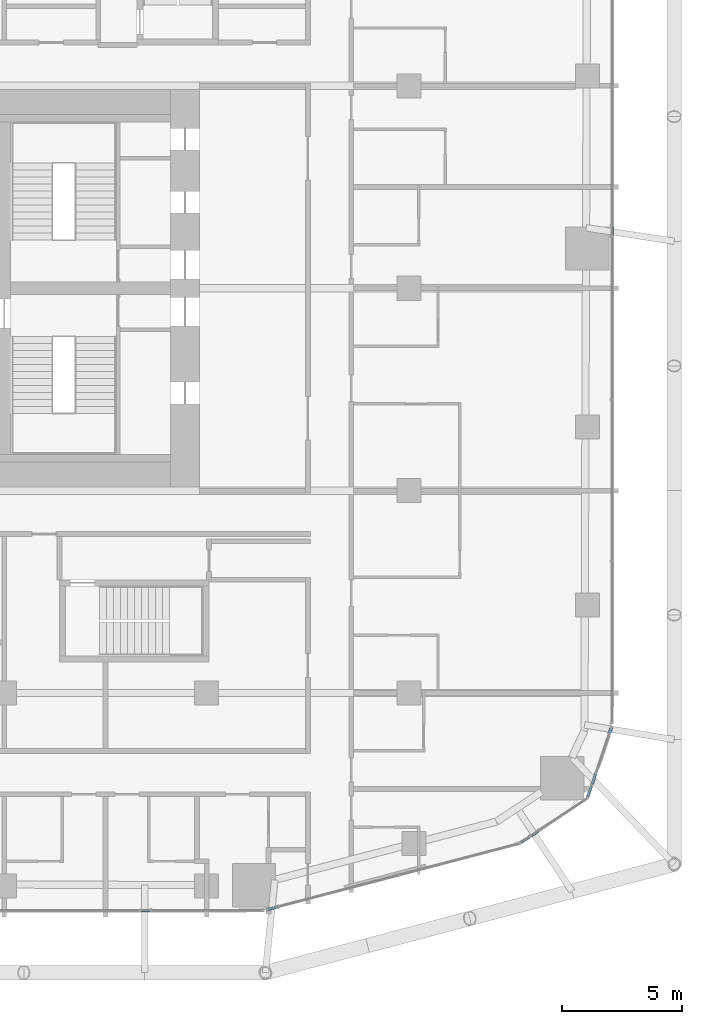
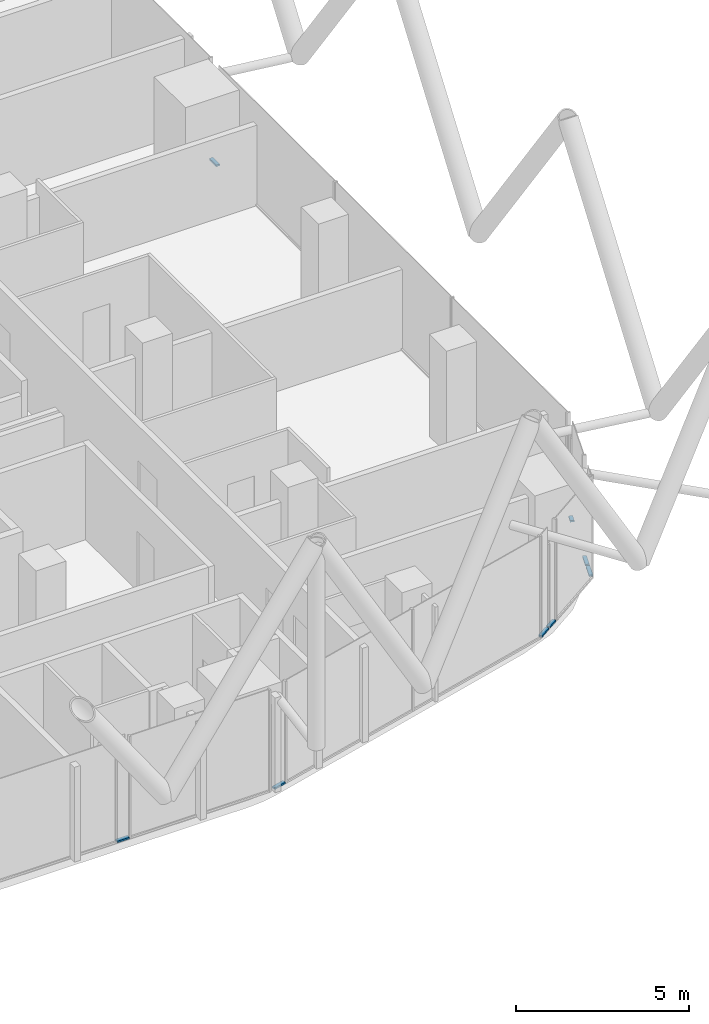
# One storey, part 17 of 38: 8 members, 8 elements without a shape of their own.
"""IFC4 building model written with IfcOpenShell, lengths in metres."""

from ifc_helpers import new_model, si_unit, direction, frame, origin, origin_2d, place, context, subcontext, project, spatial, rectangle, extrude, material, layer, layer_set, material_profile, profile_set, type_object, element, aggregate, save


model = new_model("IFC4")

# Units and contexts
model_context = context("Model", 3, precision=1e-05, world=origin(), true_north=direction((0.0, 1.0)))
body_context = subcontext(model_context, "Body", "Model", "MODEL_VIEW")
ifc_project = project(units=[si_unit("LENGTHUNIT", "METRE"), si_unit("AREAUNIT", "SQUARE_METRE"), si_unit("VOLUMEUNIT", "CUBIC_METRE"), si_unit("PLANEANGLEUNIT", "RADIAN"), si_unit("MASSUNIT", "GRAM", prefix="KILO")], contexts=[model_context])

# Site, building, storey
site_placement = place(None, origin())
site = spatial("IfcSite", under=ifc_project, at=site_placement, CompositionType="ELEMENT")
building_placement = place(site_placement, origin())
building = spatial("IfcBuilding", under=site, at=building_placement, Name="Marenta Gate Hotel Tower", CompositionType="ELEMENT")
storey_placement = place(building_placement, frame((0.0, 0.0, 68.89990234375)))
storey = spatial("IfcBuildingStorey", under=building, at=storey_placement, Name="L15", CompositionType="ELEMENT", Elevation=68.89990234375)

# Curtain wall, member
ifc_material_1 = material(Name="Tinted insulated glass in bronze anodised frame", Category="glass")
ifc_layer = layer(ifc_material_1, 0.1201171875)
ifc_layer_set = layer_set([ifc_layer], Name="Tinted insulated glass in bronze anodised frame")
curtain_wall_type = type_object("IfcCurtainWallType", Name="Tower unitised curtain wall CW1", PredefinedType="NOTDEFINED", material=ifc_layer_set)
curtain_wall_1_placement = place(storey_placement, origin())
curtain_wall_1 = element("IfcCurtainWall", 1, at=curtain_wall_1_placement, inside=storey, type_object=curtain_wall_type, Name="CW1 run G21", PredefinedType="NOTDEFINED")
ifc_material_2 = material(Name="Bronze anodised aluminium", Category="aluminium")
ifc_material_profile = material_profile(ifc_material_2, rectangle(XDim=0.1201171875, YDim=0.06005859375, at=origin_2d()), Name="Transom CW1 60x120 bronze anodised aluminium")
ifc_profile_set = profile_set([ifc_material_profile], Name="Bronze anodised aluminium")
member_type = type_object("IfcMemberType", Name="Transom CW1 60x120 bronze anodised aluminium", PredefinedType="USERDEFINED", material=ifc_profile_set)
member_1_placement = place(storey_placement, frame((9.86669921875, -17.4189453125, 0.030029296875), z_axis=(0.999999806866, 0.00062150392, 0.0), x_axis=(-0.00062150392, 0.999999806866, 0.0)))
member_1 = element("IfcMember", 2, at=member_1_placement, type_object=member_type, Name="CW1 transom 1.1", ObjectType="TRANSOM", PredefinedType="USERDEFINED", context=body_context, shape_type="SweptSolid", body=[
    extrude(rectangle(XDim=0.1201171875, YDim=0.06005859375, at=origin_2d()), origin(), (0.0, 0.0, 1.0), 0.392822265625),
])
aggregate(curtain_wall_1, [member_1])

curtain_wall_2_placement = place(storey_placement, origin())
curtain_wall_2 = element("IfcCurtainWall", 3, at=curtain_wall_2_placement, inside=storey, type_object=curtain_wall_type, Name="CW1 run G23", PredefinedType="NOTDEFINED")
member_2_placement = place(storey_placement, frame((15.13232421875, -17.376708984375, 0.030029296875), z_axis=(0.967298175174, 0.253641952966, 0.0), x_axis=(-0.253641952966, 0.967298175174, 0.0)))
member_2 = element("IfcMember", 4, at=member_2_placement, type_object=member_type, Name="CW1 transom 1.1", ObjectType="TRANSOM", PredefinedType="USERDEFINED", context=body_context, shape_type="SweptSolid", body=[
    extrude(rectangle(XDim=0.1201171875, YDim=0.06005859375, at=origin_2d()), origin(), (0.0, 0.0, 1.0), 0.423583984375),
])
aggregate(curtain_wall_2, [member_2])

curtain_wall_3_placement = place(storey_placement, origin())
curtain_wall_3 = element("IfcCurtainWall", 5, at=curtain_wall_3_placement, inside=storey, type_object=curtain_wall_type, Name="CW1 run G25", PredefinedType="NOTDEFINED")
member_3_placement = place(storey_placement, frame((25.617431640625, -14.6103515625, 0.030029296875), z_axis=(0.832549312002, 0.55395093924, 0.0), x_axis=(-0.55395093924, 0.832549312002, 0.0)))
member_3 = element("IfcMember", 6, at=member_3_placement, type_object=member_type, Name="CW1 transom 1.1", ObjectType="TRANSOM", PredefinedType="USERDEFINED", context=body_context, shape_type="SweptSolid", body=[
    extrude(rectangle(XDim=0.1201171875, YDim=0.06005859375, at=origin_2d()), origin(), (0.0, 0.0, 1.0), 0.451416015625),
])
aggregate(curtain_wall_3, [member_3])

curtain_wall_4_placement = place(storey_placement, origin())
curtain_wall_4 = element("IfcCurtainWall", 7, at=curtain_wall_4_placement, inside=storey, type_object=curtain_wall_type, Name="CW1 run G26", PredefinedType="NOTDEFINED")
member_4_placement = place(storey_placement, frame((26.04296875, -14.3271484375, 0.030029296875), z_axis=(0.832718923271, 0.553695940772, 0.0), x_axis=(-0.553695940772, 0.832718923271, 0.0)))
member_4 = element("IfcMember", 8, at=member_4_placement, type_object=member_type, Name="CW1 transom 1.1", ObjectType="TRANSOM", PredefinedType="USERDEFINED", context=body_context, shape_type="SweptSolid", body=[
    extrude(rectangle(XDim=0.1201171875, YDim=0.06005859375, at=origin_2d()), origin(), (0.0, 0.0, 1.0), 0.392822265625),
])
aggregate(curtain_wall_4, [member_4])

curtain_wall_5_placement = place(storey_placement, origin())
curtain_wall_5 = element("IfcCurtainWall", 9, at=curtain_wall_5_placement, inside=storey, type_object=curtain_wall_type, Name="CW1 run G28", PredefinedType="NOTDEFINED")
member_5_placement = place(storey_placement, frame((28.4150390625, -12.70458984375, 0.030029296875), z_axis=(0.322254212139, 0.946653169201, 0.0), x_axis=(-0.946653169201, 0.322254212139, 0.0)))
member_5 = element("IfcMember", 10, at=member_5_placement, type_object=member_type, Name="CW1 transom 1.1", ObjectType="TRANSOM", PredefinedType="USERDEFINED", context=body_context, shape_type="SweptSolid", body=[
    extrude(rectangle(XDim=0.1201171875, YDim=0.06005859375, at=origin_2d()), origin(), (0.0, 0.0, 1.0), 0.485595703125),
])
aggregate(curtain_wall_5, [member_5])

curtain_wall_6_placement = place(storey_placement, origin())
curtain_wall_6 = element("IfcCurtainWall", 11, at=curtain_wall_6_placement, inside=storey, type_object=curtain_wall_type, Name="CW1 run G29", PredefinedType="NOTDEFINED")
member_6_placement = place(storey_placement, frame((28.5908203125, -12.18798828125, 0.030029296875), z_axis=(0.321912448893, 0.946769441442, 0.0), x_axis=(-0.946769441442, 0.321912448893, 0.0)))
member_6 = element("IfcMember", 12, at=member_6_placement, type_object=member_type, Name="CW1 transom 1.1", ObjectType="TRANSOM", PredefinedType="USERDEFINED", context=body_context, shape_type="SweptSolid", body=[
    extrude(rectangle(XDim=0.1201171875, YDim=0.06005859375, at=origin_2d()), origin(), (0.0, 0.0, 1.0), 0.450439453125),
])
aggregate(curtain_wall_6, [member_6])

curtain_wall_7_placement = place(storey_placement, origin())
curtain_wall_7 = element("IfcCurtainWall", 13, at=curtain_wall_7_placement, inside=storey, type_object=curtain_wall_type, Name="CW1 run G31", PredefinedType="NOTDEFINED")
member_7_placement = place(storey_placement, frame((29.3154296875, -10.057861328125, 0.030029296875), z_axis=(0.322169291866, 0.946682073021, 0.0), x_axis=(-0.946682073021, 0.322169291866, 0.0)))
member_7 = element("IfcMember", 14, at=member_7_placement, type_object=member_type, Name="CW1 transom 1.1", ObjectType="TRANSOM", PredefinedType="USERDEFINED", context=body_context, shape_type="SweptSolid", body=[
    extrude(rectangle(XDim=0.1201171875, YDim=0.06005859375, at=origin_2d()), origin(), (0.0, 0.0, 1.0), 0.246337890625),
])
aggregate(curtain_wall_7, [member_7])

curtain_wall_8_placement = place(storey_placement, origin())
curtain_wall_8 = element("IfcCurtainWall", 15, at=curtain_wall_8_placement, inside=storey, type_object=curtain_wall_type, Name="CW1 run G33", PredefinedType="NOTDEFINED")
member_8_placement = place(storey_placement, frame((29.4140625, 10.576904296875, 0.030029296875), z_axis=(0.0, 1.0, 0.0), x_axis=(-1.0, 0.0, 0.0)))
member_8 = element("IfcMember", 16, at=member_8_placement, type_object=member_type, Name="CW1 transom 1.1", ObjectType="TRANSOM", PredefinedType="USERDEFINED", context=body_context, shape_type="SweptSolid", body=[
    extrude(rectangle(XDim=0.1201171875, YDim=0.06005859375, at=origin_2d()), origin(), (0.0, 0.0, 1.0), 0.3984375),
])
aggregate(curtain_wall_8, [member_8])

save(model, "model.ifc")
